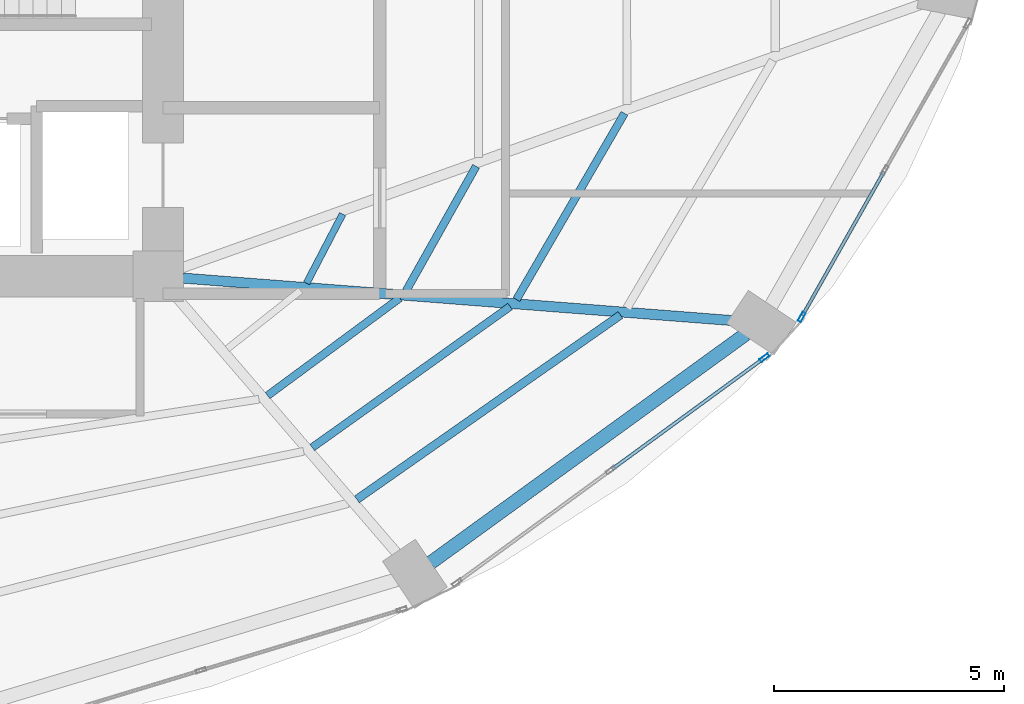
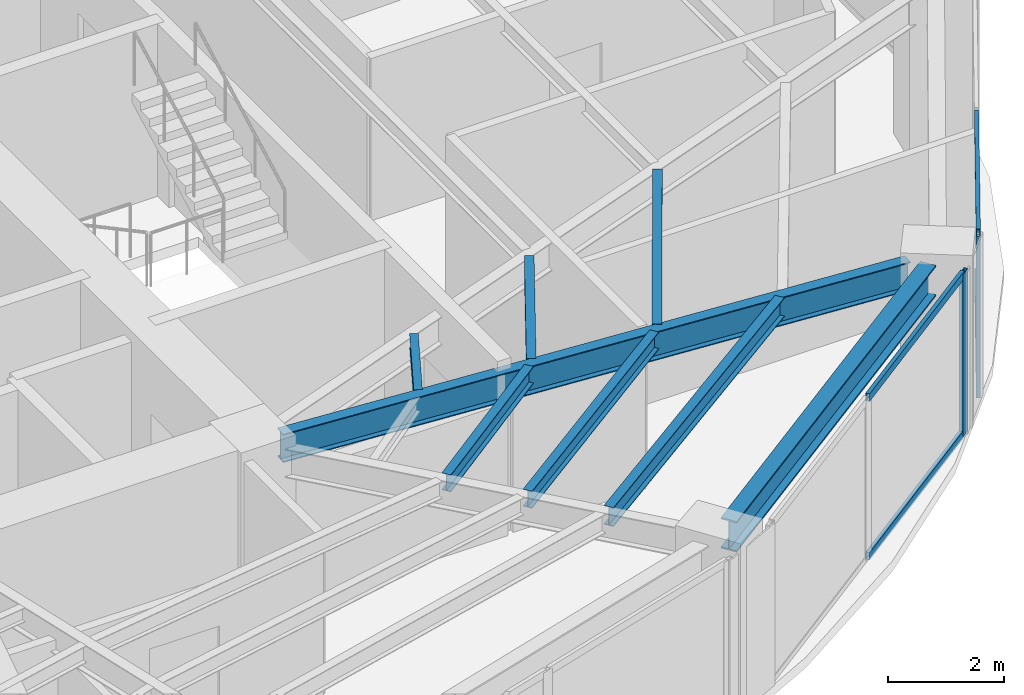
# One storey, part 10 of 24: 8 beams, 6 members, 2 elements without a shape of their own.
"""IFC4 building model written with IfcOpenShell, lengths in metres."""

from ifc_helpers import new_model, si_unit, direction, frame, origin, origin_2d, place, context, subcontext, project, spatial, hollow_rectangle, i_section, extrude, material, layer, layer_set, material_profile, profile_set, type_object, element, aggregate, save


model = new_model("IFC4")

# Units and contexts
model_context = context("Model", 3, precision=1e-05, world=origin(), true_north=direction((0.0, 1.0)))
body_context = subcontext(model_context, "Body", "Model", "MODEL_VIEW")
ifc_project = project(units=[si_unit("LENGTHUNIT", "METRE"), si_unit("AREAUNIT", "SQUARE_METRE"), si_unit("VOLUMEUNIT", "CUBIC_METRE"), si_unit("PLANEANGLEUNIT", "RADIAN"), si_unit("MASSUNIT", "GRAM", prefix="KILO")], contexts=[model_context])

# Site, building, storey
site_placement = place(None, origin())
site = spatial("IfcSite", under=ifc_project, at=site_placement, CompositionType="ELEMENT")
building_placement = place(site_placement, origin())
building = spatial("IfcBuilding", under=site, at=building_placement, Name="Lazwardi Medical Tower", CompositionType="ELEMENT")
storey_placement = place(building_placement, frame((0.0, 0.0, 68.97607421875)))
storey = spatial("IfcBuildingStorey", under=building, at=storey_placement, Name="L17", CompositionType="ELEMENT", Elevation=68.97607421875)

# Beams
ifc_material_1 = material(Name="Steel S355", Category="steel")
ifc_material_profile_1 = material_profile(ifc_material_1, i_section(OverallWidth=0.300048828125, OverallDepth=0.64990234375, WebThickness=0.01611328125, FlangeThickness=0.031005859375, at=origin_2d()), Name="HEB 650")
ifc_profile_set_1 = profile_set([ifc_material_profile_1], Name="Steel S355")
beam_type_1 = type_object("IfcBeamType", Name="BM-RB-Z1", PredefinedType="BEAM", material=ifc_profile_set_1)
beam_1_placement = place(storey_placement, frame((51.52099609375, 14.16259765625, 3.10302734375), z_axis=(0.80939338516, 0.5872668457, 0.0), x_axis=(-0.5872668457, 0.80939338516, 0.0)))
element("IfcBeam", 1, at=beam_1_placement, inside=storey, type_object=beam_type_1, Name="Ring beam RB-02 B02 L17", PredefinedType="BEAM", context=body_context, shape_type="SweptSolid", body=[
    extrude(i_section(OverallWidth=0.300048828125, OverallDepth=0.64990234375, WebThickness=0.01611328125, FlangeThickness=0.031005859375, at=origin_2d()), origin(), (0.0, 0.0, 1.0), 8.47412109375),
])
ifc_material_profile_2 = material_profile(ifc_material_1, i_section(OverallWidth=0.219970703125, OverallDepth=0.60009765625, WebThickness=0.011962890625, FlangeThickness=0.01904296875, at=origin_2d()), Name="IPE 600")
ifc_profile_set_2 = profile_set([ifc_material_profile_2], Name="Steel S355")
beam_type_2 = type_object("IfcBeamType", Name="BM-RG-W1", PredefinedType="BEAM", material=ifc_profile_set_2)
beam_2_placement = place(storey_placement, frame((58.1416015625, 19.430419921875, 3.1279296875), z_axis=(-0.997024241118, 0.077088667283, 0.0), x_axis=(-0.077088667283, -0.997024241118, 0.0)))
element("IfcBeam", 2, at=beam_2_placement, inside=storey, type_object=beam_type_2, Name="Radial girder RG-02 R03 L17", PredefinedType="BEAM", context=body_context, shape_type="SweptSolid", body=[
    extrude(i_section(OverallWidth=0.219970703125, OverallDepth=0.60009765625, WebThickness=0.011962890625, FlangeThickness=0.01904296875, at=origin_2d()), origin(), (0.0, 0.0, 1.0), 12.044189453125),
])
ifc_material_profile_3 = material_profile(ifc_material_1, i_section(OverallWidth=0.179931640625, OverallDepth=0.39990234375, WebThickness=0.008544921875, FlangeThickness=0.013427734375, at=origin_2d()), Name="IPE 400")
ifc_profile_set_3 = profile_set([ifc_material_profile_3], Name="Steel S355")
beam_type_3 = type_object("IfcBeamType", Name="BM-SJ-01", PredefinedType="JOIST", material=ifc_profile_set_3)
beam_3_placement = place(storey_placement, frame((49.91796875, 15.543701171875, 3.22802734375), z_axis=(0.81942522483, 0.573186096231, 0.0), x_axis=(-0.573186096231, 0.81942522483, 0.0)))
element("IfcBeam", 3, at=beam_3_placement, inside=storey, type_object=beam_type_3, Name="Secondary joist SJ-01 R1 B02 L17", PredefinedType="JOIST", context=body_context, shape_type="SweptSolid", body=[
    extrude(i_section(OverallWidth=0.179931640625, OverallDepth=0.39990234375, WebThickness=0.008544921875, FlangeThickness=0.013427734375, at=origin_2d()), origin(), (0.0, 0.0, 1.0), 6.999755859375),
])
ifc_material_profile_4 = material_profile(ifc_material_1, i_section(OverallWidth=0.169921875, OverallDepth=0.360107421875, WebThickness=0.008056640625, FlangeThickness=0.0126953125, at=origin_2d()), Name="IPE 360")
ifc_profile_set_4 = profile_set([ifc_material_profile_4], Name="Steel S355")
beam_type_4 = type_object("IfcBeamType", Name="BM-SJ-02", PredefinedType="JOIST", material=ifc_profile_set_4)
beam_4_placement = place(storey_placement, frame((48.94677734375, 16.672119140625, 3.248046875), z_axis=(0.814341377136, 0.580386183058, 0.0), x_axis=(-0.580386183058, 0.814341377136, 0.0)))
element("IfcBeam", 4, at=beam_4_placement, inside=storey, type_object=beam_type_4, Name="Secondary joist SJ-02 R2 B02 L17", PredefinedType="JOIST", context=body_context, shape_type="SweptSolid", body=[
    extrude(i_section(OverallWidth=0.169921875, OverallDepth=0.360107421875, WebThickness=0.008056640625, FlangeThickness=0.0126953125, at=origin_2d()), origin(), (0.0, 0.0, 1.0), 5.28759765625),
])
beam_5_placement = place(storey_placement, frame((53.39111328125, 19.892578125, 3.248046875), z_axis=(0.501798442848, 0.86498457949, 0.0), x_axis=(-0.86498457949, 0.501798442848, 0.0)))
element("IfcBeam", 5, at=beam_5_placement, inside=storey, type_object=beam_type_4, Name="Secondary joist SJ-02 R2 B03 L17", PredefinedType="JOIST", context=body_context, shape_type="SweptSolid", body=[
    extrude(i_section(OverallWidth=0.169921875, OverallDepth=0.360107421875, WebThickness=0.008056640625, FlangeThickness=0.0126953125, at=origin_2d()), origin(), (0.0, 0.0, 1.0), 4.683349609375),
])
beam_6_placement = place(storey_placement, frame((47.974853515625, 17.80126953125, 3.248046875), z_axis=(0.804580292353, 0.593843879448, 0.0), x_axis=(-0.593843879448, 0.804580292353, 0.0)))
element("IfcBeam", 6, at=beam_6_placement, inside=storey, type_object=beam_type_4, Name="Secondary joist SJ-02 R3 B02 L17", PredefinedType="JOIST", context=body_context, shape_type="SweptSolid", body=[
    extrude(i_section(OverallWidth=0.169921875, OverallDepth=0.360107421875, WebThickness=0.008056640625, FlangeThickness=0.0126953125, at=origin_2d()), origin(), (0.0, 0.0, 1.0), 3.576416015625),
])
beam_7_placement = place(storey_placement, frame((50.988037109375, 20.0791015625, 3.248046875), z_axis=(0.489974339037, 0.87173685656, 0.0), x_axis=(-0.87173685656, 0.489974339037, 0.0)))
element("IfcBeam", 7, at=beam_7_placement, inside=storey, type_object=beam_type_4, Name="Secondary joist SJ-02 R3 B03 L17", PredefinedType="JOIST", context=body_context, shape_type="SweptSolid", body=[
    extrude(i_section(OverallWidth=0.169921875, OverallDepth=0.360107421875, WebThickness=0.008056640625, FlangeThickness=0.0126953125, at=origin_2d()), origin(), (0.0, 0.0, 1.0), 3.111328125),
])
ifc_material_profile_5 = material_profile(ifc_material_1, i_section(OverallWidth=0.14990234375, OverallDepth=0.300048828125, WebThickness=0.007080078125, FlangeThickness=0.0107421875, at=origin_2d()), Name="IPE 300")
ifc_profile_set_5 = profile_set([ifc_material_profile_5], Name="Steel S355")
beam_type_5 = type_object("IfcBeamType", Name="BM-SJ-03", PredefinedType="JOIST", material=ifc_profile_set_5)
beam_8_placement = place(storey_placement, frame((48.82373046875, 20.247802734375, 3.27783203125), z_axis=(0.462162985948, 0.88679500135, 0.0), x_axis=(-0.88679500135, 0.462162985948, 0.0)))
element("IfcBeam", 8, at=beam_8_placement, inside=storey, type_object=beam_type_5, Name="Secondary joist SJ-03 R4 B03 L17", PredefinedType="JOIST", context=body_context, shape_type="SweptSolid", body=[
    extrude(i_section(OverallWidth=0.14990234375, OverallDepth=0.300048828125, WebThickness=0.007080078125, FlangeThickness=0.0107421875, at=origin_2d()), origin(), (0.0, 0.0, 1.0), 1.69775390625),
])

# Curtain wall, member
ifc_material_2 = material(Name="Anodised bronze aluminium and solar control glazing", Category="aluminium")
ifc_layer = layer(ifc_material_2, 0.199951171875)
ifc_layer_set = layer_set([ifc_layer], Name="Anodised bronze aluminium and solar control glazing")
curtain_wall_type = type_object("IfcCurtainWallType", Name="CW-SYS-02", PredefinedType="NOTDEFINED", material=ifc_layer_set)
curtain_wall_1_placement = place(storey_placement, origin())
curtain_wall_1 = element("IfcCurtainWall", 9, at=curtain_wall_1_placement, inside=storey, type_object=curtain_wall_type, Name="L17 Unitised bronze curtain wall CW-02", PredefinedType="NOTDEFINED")
ifc_material_3 = material(Name="Anodised bronze aluminium", Category="aluminium")
ifc_material_profile_6 = material_profile(ifc_material_3, hollow_rectangle(XDim=0.074951171875, YDim=0.219970703125, WallThickness=0.00390625, at=origin_2d()), Name="ALU-MULLION 220x75x4")
ifc_profile_set_6 = profile_set([ifc_material_profile_6], Name="Anodised bronze aluminium")
member_type_1 = type_object("IfcMemberType", Name="CW-MUL-01", PredefinedType="MULLION", material=ifc_profile_set_6)
member_1_placement = place(storey_placement, frame((58.790283203125, 18.62744140625, 0.0), z_axis=(0.0, 0.0, 1.0), x_axis=(-0.590289307341, 0.807191757663, 0.0)))
member_1 = element("IfcMember", 10, at=member_1_placement, type_object=member_type_1, Name="CW-02 mullion 3", PredefinedType="MULLION", context=body_context, shape_type="SweptSolid", body=[
    extrude(hollow_rectangle(XDim=0.074951171875, YDim=0.219970703125, WallThickness=0.00390625, at=origin_2d()), origin(), (0.0, 0.0, 1.0), 3.427978515625),
])

curtain_wall_2_placement = place(storey_placement, origin())
curtain_wall_2 = element("IfcCurtainWall", 11, at=curtain_wall_2_placement, inside=storey, type_object=curtain_wall_type, Name="L17 Unitised bronze curtain wall CW-02", PredefinedType="NOTDEFINED")
member_2_placement = place(storey_placement, frame((59.5966796875, 19.511474609375, 0.0), z_axis=(0.0, 0.0, 1.0), x_axis=(-0.870111838823, 0.492854327303, 0.0)))
member_2 = element("IfcMember", 12, at=member_2_placement, type_object=member_type_1, Name="CW-02 mullion 1", PredefinedType="MULLION", context=body_context, shape_type="SweptSolid", body=[
    extrude(hollow_rectangle(XDim=0.074951171875, YDim=0.219970703125, WallThickness=0.00390625, at=origin_2d()), origin(), (0.0, 0.0, 1.0), 3.427978515625),
])

# Member
ifc_material_profile_7 = material_profile(ifc_material_3, hollow_rectangle(XDim=0.074951171875, YDim=0.159912109375, WallThickness=0.00390625, at=origin_2d()), Name="ALU-TRANSOM 160x75x4")
ifc_profile_set_7 = profile_set([ifc_material_profile_7], Name="Anodised bronze aluminium")
member_type_2 = type_object("IfcMemberType", Name="CW-TRN-01", PredefinedType="USERDEFINED", material=ifc_profile_set_7)
member_3_placement = place(storey_placement, frame((55.474609375, 16.202880859375, 0.037353515625), z_axis=(0.807218536774, 0.590252686472, 0.0), x_axis=(-0.590252686472, 0.807218536774, 0.0)))
member_3 = element("IfcMember", 13, at=member_3_placement, type_object=member_type_2, Name="CW-02 transom 2.1", ObjectType="TRANSOM", PredefinedType="USERDEFINED", context=body_context, shape_type="SweptSolid", body=[
    extrude(hollow_rectangle(XDim=0.074951171875, YDim=0.159912109375, WallThickness=0.00390625, at=origin_2d()), origin(), (0.0, 0.0, 1.0), 4.070068359375),
])

member_4_placement = place(storey_placement, frame((55.474609375, 16.202880859375, 3.390380859375), z_axis=(0.807218536774, 0.590252686472, 0.0), x_axis=(-0.590252686472, 0.807218536774, 0.0)))
member_4 = element("IfcMember", 14, at=member_4_placement, type_object=member_type_2, Name="CW-02 transom 2.2", ObjectType="TRANSOM", PredefinedType="USERDEFINED", context=body_context, shape_type="SweptSolid", body=[
    extrude(hollow_rectangle(XDim=0.074951171875, YDim=0.159912109375, WallThickness=0.00390625, at=origin_2d()), origin(), (0.0, 0.0, 1.0), 4.070068359375),
])

aggregate(curtain_wall_1, [member_1, member_3, member_4])

member_5_placement = place(storey_placement, frame((59.615234375, 19.5439453125, 0.037353515625), z_axis=(0.49285148925, 0.870113446365, 0.0), x_axis=(-0.870113446365, 0.49285148925, 0.0)))
member_5 = element("IfcMember", 15, at=member_5_placement, type_object=member_type_2, Name="CW-02 transom 1.1", ObjectType="TRANSOM", PredefinedType="USERDEFINED", context=body_context, shape_type="SweptSolid", body=[
    extrude(hollow_rectangle(XDim=0.074951171875, YDim=0.159912109375, WallThickness=0.00390625, at=origin_2d()), origin(), (0.0, 0.0, 1.0), 3.594970703125),
])

member_6_placement = place(storey_placement, frame((59.615234375, 19.5439453125, 3.390380859375), z_axis=(0.49285148925, 0.870113446365, 0.0), x_axis=(-0.870113446365, 0.49285148925, 0.0)))
member_6 = element("IfcMember", 16, at=member_6_placement, type_object=member_type_2, Name="CW-02 transom 1.2", ObjectType="TRANSOM", PredefinedType="USERDEFINED", context=body_context, shape_type="SweptSolid", body=[
    extrude(hollow_rectangle(XDim=0.074951171875, YDim=0.159912109375, WallThickness=0.00390625, at=origin_2d()), origin(), (0.0, 0.0, 1.0), 3.594970703125),
])

aggregate(curtain_wall_2, [member_2, member_5, member_6])

save(model, "model.ifc")
